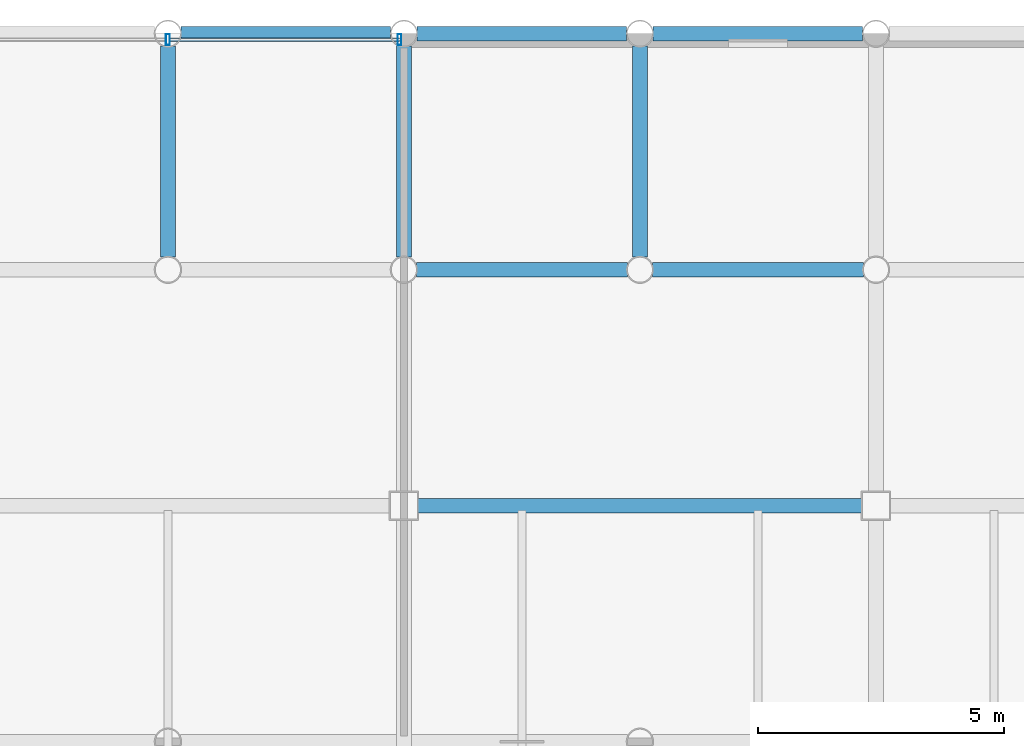
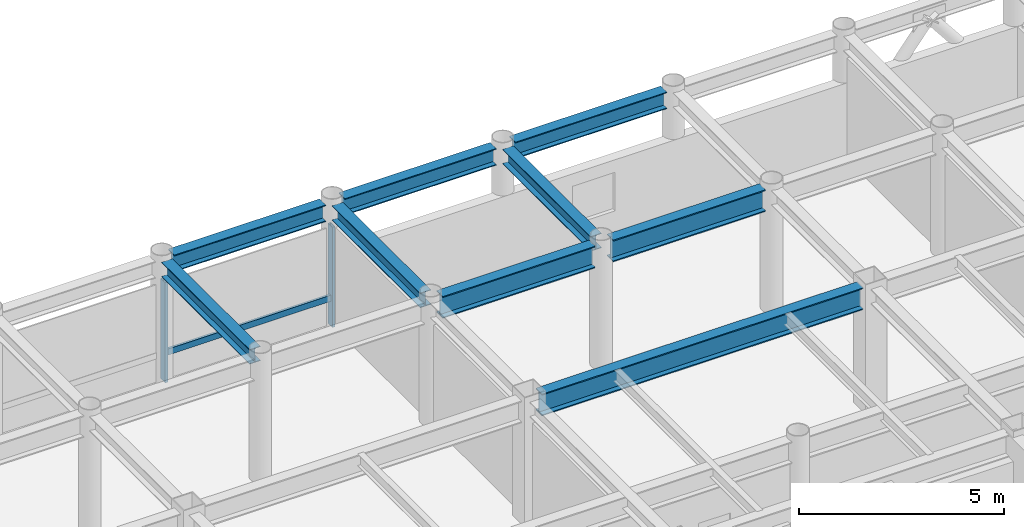
# One storey, part 15 of 21: 9 beams, 3 members, 1 element without a shape of its own.
"""IFC4 building model written with IfcOpenShell, lengths in metres."""

from ifc_helpers import new_model, si_unit, direction, frame, origin, origin_2d, place, context, subcontext, project, spatial, hollow_rectangle, i_section, extrude, material, layer, layer_set, material_profile, profile_set, type_object, element, aggregate, save


model = new_model("IFC4")

# Units and contexts
model_context = context("Model", 3, precision=1e-05, world=origin(), true_north=direction((0.0, 1.0)))
body_context = subcontext(model_context, "Body", "Model", "MODEL_VIEW")
ifc_project = project(units=[si_unit("LENGTHUNIT", "METRE"), si_unit("AREAUNIT", "SQUARE_METRE"), si_unit("VOLUMEUNIT", "CUBIC_METRE"), si_unit("PLANEANGLEUNIT", "RADIAN"), si_unit("MASSUNIT", "GRAM", prefix="KILO")], contexts=[model_context])

# Site, building, storey
site_placement = place(None, origin())
site = spatial("IfcSite", under=ifc_project, at=site_placement, CompositionType="ELEMENT")
building_placement = place(site_placement, origin())
building = spatial("IfcBuilding", under=site, at=building_placement, Name="Kallvorn Hotel Tower", CompositionType="ELEMENT")
storey_placement = place(building_placement, frame((0.0, 0.0, 268.5)))
storey = spatial("IfcBuildingStorey", under=building, at=storey_placement, Name="L67", CompositionType="ELEMENT", Elevation=268.5)

# Beams
ifc_material_1 = material(Name="Structural steel S355JR", Category="steel")
ifc_material_profile_1 = material_profile(ifc_material_1, i_section(OverallWidth=0.300048828125, OverallDepth=0.43994140625, WebThickness=0.011474609375, FlangeThickness=0.02099609375, at=origin_2d()), Name="HE 450 A")
ifc_profile_set_1 = profile_set([ifc_material_profile_1], Name="Structural steel S355JR")
beam_type_1 = type_object("IfcBeamType", Name="BM_HE450A", PredefinedType="BEAM", material=ifc_profile_set_1)
for number, where, z_axis, x_axis, name in (
    (1, (0.0, 19.45458984375, 3.449951171875), (0.0, 1.0, 0.0), (-1.0, 0.0, 0.0), "L68 Primary Y-Girder 113"),
    (2, (4.800048828125, 19.45458984375, 3.449951171875), (0.0, 1.0, 0.0), (-1.0, 0.0, 0.0), "L68 Primary Y-Girder 118"),
    (3, (9.60009765625, 19.45458984375, 3.449951171875), (0.0, 1.0, 0.0), (-1.0, 0.0, 0.0), "L68 Primary Y-Girder 121"),
):
    element("IfcBeam", number, at=place(storey_placement, frame(where, z_axis=z_axis, x_axis=x_axis)), inside=storey, type_object=beam_type_1, Name=name, PredefinedType="BEAM", context=body_context, shape_type="SweptSolid", body=[
        extrude(i_section(OverallWidth=0.300048828125, OverallDepth=0.43994140625, WebThickness=0.011474609375, FlangeThickness=0.02099609375, at=origin_2d()), origin(), (0.0, 0.0, 1.0), 4.291015625),
    ])
ifc_material_2 = material(Name="Structural steel S355JR", Category="steel")
ifc_material_profile_2 = material_profile(ifc_material_2, i_section(OverallWidth=0.300048828125, OverallDepth=0.5, WebThickness=0.014404296875, FlangeThickness=0.028076171875, at=origin_2d()), Name="HE 500 B")
ifc_profile_set_2 = profile_set([ifc_material_profile_2], Name="Structural steel S355JR")
beam_type_2 = type_object("IfcBeamType", Name="BM_HE500B", PredefinedType="SPANDREL", material=ifc_profile_set_2)
for number, where, z_axis, x_axis, name in (
    (4, (0.26953125, 24.0, 3.419921875), (1.0, 0.0, 0.0), (0.0, 1.0, 0.0), "L68 Perimeter Spandrel 169"),
    (5, (5.069580078125, 24.0, 3.419921875), (1.0, 0.0, 0.0), (0.0, 1.0, 0.0), "L68 Perimeter Spandrel 170"),
):
    element("IfcBeam", number, at=place(storey_placement, frame(where, z_axis=z_axis, x_axis=x_axis)), inside=storey, type_object=beam_type_2, Name=name, PredefinedType="SPANDREL", context=body_context, shape_type="SweptSolid", body=[
        extrude(i_section(OverallWidth=0.300048828125, OverallDepth=0.5, WebThickness=0.014404296875, FlangeThickness=0.028076171875, at=origin_2d()), origin(), (0.0, 0.0, 1.0), 4.260986328125),
    ])
beam_1_placement = place(storey_placement, frame((9.869384765625, 24.0, 3.419921875), z_axis=(1.0, 0.0, 0.0), x_axis=(0.0, 1.0, 0.0)))
element("IfcBeam", 6, at=beam_1_placement, inside=storey, type_object=beam_type_2, Name="L68 Perimeter Spandrel 171", PredefinedType="SPANDREL", context=body_context, shape_type="SweptSolid", body=[
    extrude(i_section(OverallWidth=0.300048828125, OverallDepth=0.5, WebThickness=0.014404296875, FlangeThickness=0.028076171875, at=origin_2d()), origin(), (0.0, 0.0, 1.0), 4.26123046875),
])
ifc_material_3 = material(Name="Structural steel S355JR", Category="steel")
ifc_material_profile_3 = material_profile(ifc_material_3, i_section(OverallWidth=0.300048828125, OverallDepth=0.64990234375, WebThickness=0.01611328125, FlangeThickness=0.031005859375, at=origin_2d()), Name="HE 650 B")
ifc_profile_set_3 = profile_set([ifc_material_profile_3], Name="Structural steel S355JR")
beam_type_3 = type_object("IfcBeamType", Name="BM_HE650B", PredefinedType="BEAM", material=ifc_profile_set_3)
beam_2_placement = place(storey_placement, frame((5.074951171875, 14.39990234375, 3.344970703125), z_axis=(1.0, 0.0, 0.0), x_axis=(0.0, 1.0, 0.0)))
element("IfcBeam", 7, at=beam_2_placement, inside=storey, type_object=beam_type_3, Name="L68 Primary X-Girder 56", PredefinedType="BEAM", context=body_context, shape_type="SweptSolid", body=[
    extrude(i_section(OverallWidth=0.300048828125, OverallDepth=0.64990234375, WebThickness=0.01611328125, FlangeThickness=0.031005859375, at=origin_2d()), origin(), (0.0, 0.0, 1.0), 9.050048828125),
])
for number, where, z_axis, x_axis, name in (
    (8, (5.054443359375, 19.199951171875, 3.344970703125), (1.0, 0.0, 0.0), (0.0, 1.0, 0.0), "L68 Primary X-Girder 68"),
    (9, (9.8544921875, 19.199951171875, 3.344970703125), (1.0, 0.0, 0.0), (0.0, 1.0, 0.0), "L68 Primary X-Girder 69"),
):
    element("IfcBeam", number, at=place(storey_placement, frame(where, z_axis=z_axis, x_axis=x_axis)), inside=storey, type_object=beam_type_3, Name=name, PredefinedType="BEAM", context=body_context, shape_type="SweptSolid", body=[
        extrude(i_section(OverallWidth=0.300048828125, OverallDepth=0.64990234375, WebThickness=0.01611328125, FlangeThickness=0.031005859375, at=origin_2d()), origin(), (0.0, 0.0, 1.0), 4.291015625),
    ])

# Curtain wall, members
ifc_material_4 = material(Name="Thermally broken black-anodised aluminium AA 6063-T6", Category="aluminium")
ifc_layer = layer(ifc_material_4, 0.22998046875)
ifc_layer_set = layer_set([ifc_layer], Name="CW_SYS_5_HOTEL_HIGH")
curtain_wall_type = type_object("IfcCurtainWallType", Name="CW_SYS_5_HOTEL_HIGH", PredefinedType="USERDEFINED", material=ifc_layer_set)
curtain_wall_placement = place(storey_placement, origin())
curtain_wall = element("IfcCurtainWall", 10, at=curtain_wall_placement, inside=storey, type_object=curtain_wall_type, Name="L67 Dark-Glass Curtain Wall CW-L67-NC", ObjectType="UNITISED CURTAIN WALL", PredefinedType="USERDEFINED")
ifc_material_5 = material(Name="Thermally broken black-anodised aluminium AA 6063-T6", Category="aluminium")
ifc_material_profile_4 = material_profile(ifc_material_5, hollow_rectangle(XDim=0.080078125, YDim=0.219970703125, WallThickness=0.0048828125, at=origin_2d()), Name="MUL 220x80")
ifc_profile_set_4 = profile_set([ifc_material_profile_4], Name="Thermally broken black-anodised aluminium AA 6063-T6")
member_type_1 = type_object("IfcMemberType", Name="CW_MULLION_220x80", PredefinedType="MULLION", material=ifc_profile_set_4)
member_1_placement = place(storey_placement, frame((0.0, 23.8798828125, 0.02001953125), z_axis=(0.0, 0.0, 1.0), x_axis=(1.0, 0.0, 0.0)))
member_1 = element("IfcMember", 11, at=member_1_placement, type_object=member_type_1, Name="CW-L67-NC Mullion 01", PredefinedType="MULLION", context=body_context, shape_type="SweptSolid", body=[
    extrude(hollow_rectangle(XDim=0.080078125, YDim=0.219970703125, WallThickness=0.0048828125, at=origin_2d()), origin(), (0.0, 0.0, 1.0), 2.97998046875),
])
member_2_placement = place(storey_placement, frame((4.7099609375, 23.8798828125, 0.02001953125), z_axis=(0.0, 0.0, 1.0), x_axis=(1.0, 0.0, 0.0)))
member_2 = element("IfcMember", 12, at=member_2_placement, type_object=member_type_1, Name="CW-L67-NC Mullion 02", PredefinedType="MULLION", context=body_context, shape_type="SweptSolid", body=[
    extrude(hollow_rectangle(XDim=0.080078125, YDim=0.219970703125, WallThickness=0.0048828125, at=origin_2d()), origin(), (0.0, 0.0, 1.0), 2.97998046875),
])
ifc_material_6 = material(Name="Thermally broken black-anodised aluminium AA 6063-T6", Category="aluminium")
ifc_material_profile_5 = material_profile(ifc_material_6, hollow_rectangle(XDim=0.070068359375, YDim=0.179931640625, WallThickness=0.00390625, at=origin_2d()), Name="TRN 180x70")
ifc_profile_set_5 = profile_set([ifc_material_profile_5], Name="Thermally broken black-anodised aluminium AA 6063-T6")
member_type_2 = type_object("IfcMemberType", Name="CW_TRANSOM_180x70", PredefinedType="USERDEFINED", material=ifc_profile_set_5)
member_3_placement = place(storey_placement, frame((0.0400390625, 23.8798828125, 0.85009765625), z_axis=(1.0, 0.0, 0.0), x_axis=(0.0, 1.0, 0.0)))
member_3 = element("IfcMember", 13, at=member_3_placement, type_object=member_type_2, Name="CW-L67-NC Transom 01M", ObjectType="TRANSOM", PredefinedType="USERDEFINED", context=body_context, shape_type="SweptSolid", body=[
    extrude(hollow_rectangle(XDim=0.070068359375, YDim=0.179931640625, WallThickness=0.00390625, at=origin_2d()), origin(), (0.0, 0.0, 1.0), 4.669921875),
])
aggregate(curtain_wall, [member_1, member_2, member_3])

save(model, "model.ifc")
